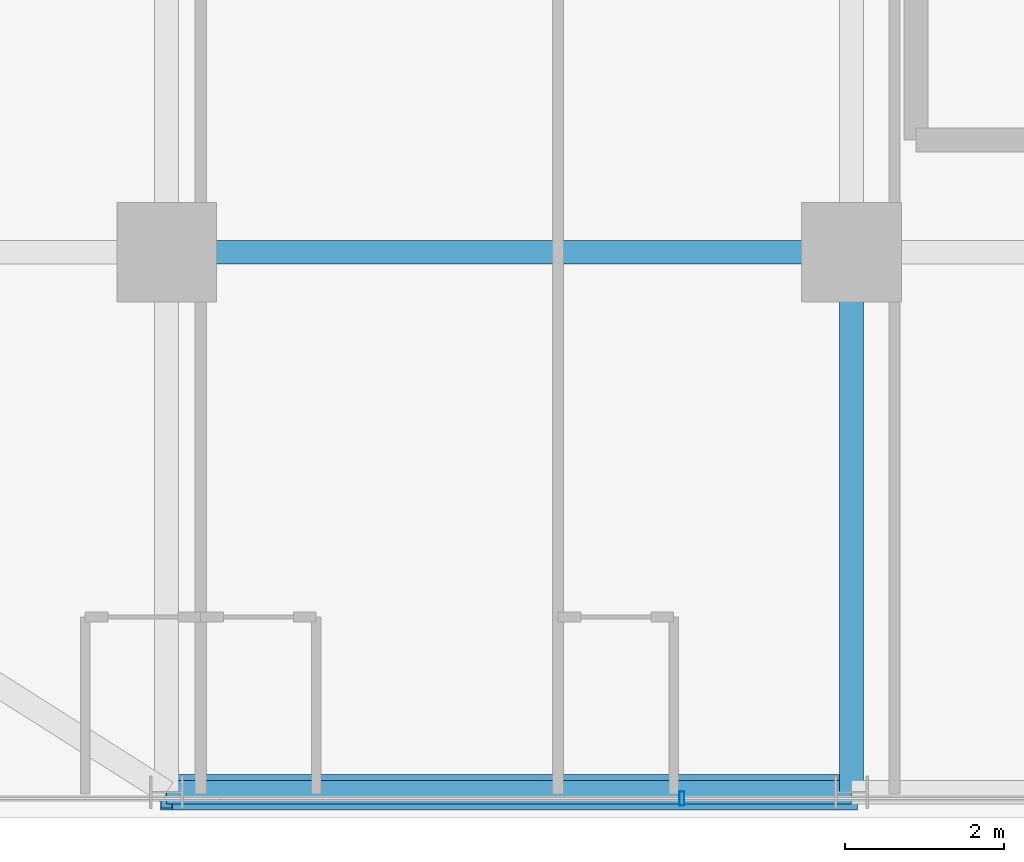
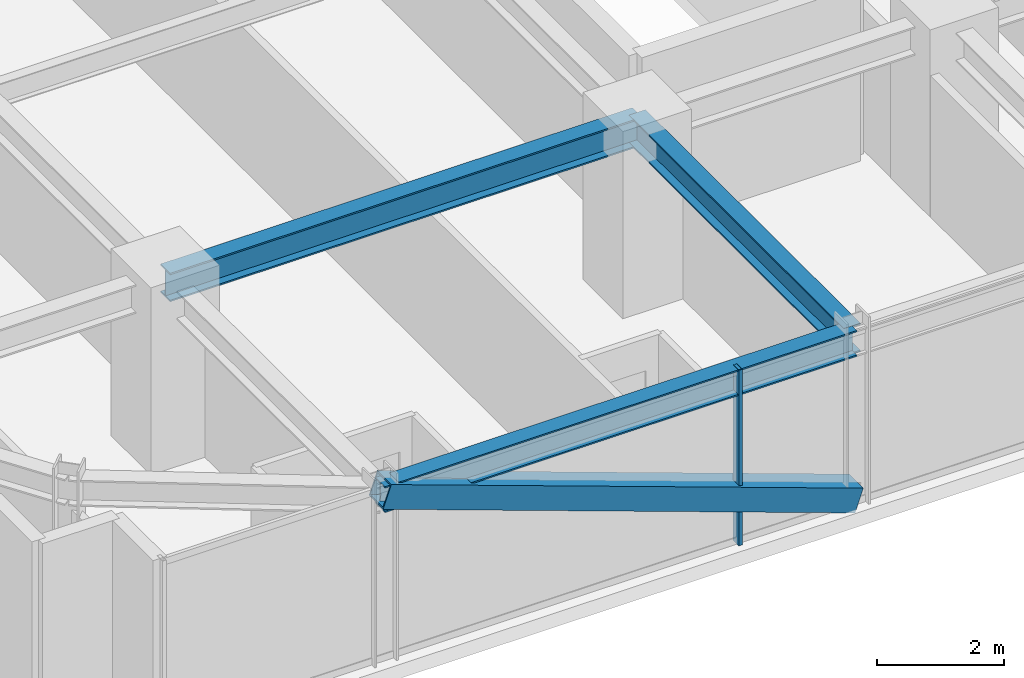
# One storey, part 3 of 34: 3 beams, 2 members, 1 element without a shape of its own.
"""IFC4 building model written with IfcOpenShell, lengths in metres."""

from ifc_helpers import new_model, si_unit, direction, frame, origin, origin_2d, place, context, subcontext, project, spatial, hollow_rectangle, i_section, extrude, source, transform, mapped, material, material_profile, profile_set, type_object, element, aggregate, save


model = new_model("IFC4")

# Units and contexts
model_context = context("Model", 3, precision=1e-05, world=origin(), true_north=direction((0.0, 1.0)))
body_context = subcontext(model_context, "Body", "Model", "MODEL_VIEW")
ifc_project = project(units=[si_unit("LENGTHUNIT", "METRE"), si_unit("AREAUNIT", "SQUARE_METRE"), si_unit("VOLUMEUNIT", "CUBIC_METRE"), si_unit("PLANEANGLEUNIT", "RADIAN"), si_unit("MASSUNIT", "GRAM", prefix="KILO")], contexts=[model_context])

# Site, building, storey
site_placement = place(None, origin())
site = spatial("IfcSite", under=ifc_project, at=site_placement, CompositionType="ELEMENT")
building_placement = place(site_placement, origin())
building = spatial("IfcBuilding", under=site, at=building_placement, Name="Nahalor Promenade Grand Hotel", CompositionType="ELEMENT")
storey_placement = place(building_placement, frame((0.0, 0.0, 99.25)))
storey = spatial("IfcBuildingStorey", under=building, at=storey_placement, Name="L24", CompositionType="ELEMENT", Elevation=99.25)

# Beams
ifc_material_1 = material(Name="Steel S355JR", Category="steel")
ifc_material_profile_1 = material_profile(ifc_material_1, i_section(OverallWidth=0.3, OverallDepth=0.5, WebThickness=0.0145, FlangeThickness=0.028, at=origin_2d()), Name="HEB 500")
ifc_profile_set_1 = profile_set([ifc_material_profile_1], Name="Steel S355JR")
beam_type_1 = type_object("IfcBeamType", Name="Beam-Spandrel-HEB500", PredefinedType="SPANDREL", material=ifc_profile_set_1)
shared_shape_1 = source(origin(), body_context, "Body", "SweptSolid", [
    extrude(i_section(OverallWidth=0.3, OverallDepth=0.5, WebThickness=0.0145, FlangeThickness=0.028, at=origin_2d()), origin(), (0.0, 0.0, 1.0), 8.60009765625),
])
beam_1_placement = place(storey_placement, frame((-17.0, -23.780029296875, 3.1298828125), z_axis=(1.0, 0.0, 0.0), x_axis=(0.0, 1.0, 0.0)))
element("IfcBeam", 1, at=beam_1_placement, inside=storey, type_object=beam_type_1, Name="BM-L24-SP-S-0", PredefinedType="SPANDREL", context=body_context, shape_type="MappedRepresentation", body=[
    mapped(shared_shape_1, transform((0.0, 0.0, 0.0), scale=1.0)),
])
ifc_material_profile_2 = material_profile(ifc_material_1, i_section(OverallWidth=0.3, OverallDepth=0.55, WebThickness=0.015, FlangeThickness=0.029, at=origin_2d()), Name="HEB 550")
ifc_profile_set_2 = profile_set([ifc_material_profile_2], Name="Steel S355JR")
beam_type_2 = type_object("IfcBeamType", Name="Beam-Girder-HEB550", PredefinedType="BEAM", material=ifc_profile_set_2)
shared_shape_2 = source(origin(), body_context, "Body", "SweptSolid", [
    extrude(i_section(OverallWidth=0.3, OverallDepth=0.55, WebThickness=0.015, FlangeThickness=0.029, at=origin_2d()), origin(), (0.0, 0.0, 1.0), 6.780029296875),
])
beam_2_placement = place(storey_placement, frame((-8.39990234375, -23.780029296875, 3.10498046875), z_axis=(0.0, 1.0, 0.0), x_axis=(-1.0, 0.0, 0.0)))
element("IfcBeam", 2, at=beam_2_placement, inside=storey, type_object=beam_type_2, Name="BM-L24-GY-1-0", PredefinedType="BEAM", context=body_context, shape_type="MappedRepresentation", body=[
    mapped(shared_shape_2, transform((0.0, 0.0, 0.0), scale=1.0)),
])
shared_shape_3 = source(origin(), body_context, "Body", "SweptSolid", [
    extrude(i_section(OverallWidth=0.3, OverallDepth=0.55, WebThickness=0.015, FlangeThickness=0.029, at=origin_2d()), origin(), (0.0, 0.0, 1.0), 8.60009765625),
])
beam_3_placement = place(storey_placement, frame((-17.0, -17.0, 3.10498046875), z_axis=(1.0, 0.0, 0.0), x_axis=(0.0, 1.0, 0.0)))
element("IfcBeam", 3, at=beam_3_placement, inside=storey, type_object=beam_type_2, Name="BM-L24-GX-0-1", PredefinedType="BEAM", context=body_context, shape_type="MappedRepresentation", body=[
    mapped(shared_shape_3, transform((0.0, 0.0, 0.0), scale=1.0)),
])

# Member
ifc_material_2 = material(Name="Steel S355J2", Category="steel")
ifc_material_profile_3 = material_profile(ifc_material_2, hollow_rectangle(XDim=0.45, YDim=0.45, WallThickness=0.025, at=origin_2d()), Name="SHS 450x450x25")
ifc_profile_set_3 = profile_set([ifc_material_profile_3], Name="Steel S355J2")
member_type_1 = type_object("IfcMemberType", Name="Mem-ExoBrace-SHS450", PredefinedType="BRACE", material=ifc_profile_set_3)
shared_shape_4 = source(origin(), body_context, "Body", "SweptSolid", [
    extrude(hollow_rectangle(XDim=0.45, YDim=0.45, WallThickness=0.025, at=origin_2d()), origin(), (0.0, 0.0, 1.0), 9.135009765625),
])
member_1_placement = place(storey_placement, frame((-8.39990234375, -23.780029296875, 0.14990234375), z_axis=(-0.941442840152, 0.0, 0.337172624521), x_axis=(0.0, -1.0, 0.0)))
element("IfcMember", 4, at=member_1_placement, inside=storey, type_object=member_type_1, Name="EXO-L24-S-0", PredefinedType="BRACE", context=body_context, shape_type="MappedRepresentation", body=[
    mapped(shared_shape_4, transform((0.0, 0.0, 0.0), scale=1.0)),
])

# Curtain wall, member
ifc_material_3 = material(Name="Anodised Bronze Aluminium EN AW-6063 T6", Category="aluminium")
curtain_wall_type = type_object("IfcCurtainWallType", Name="CW2 Typical Hotel Flush Bronze Unitised Curtain Wall", PredefinedType="USERDEFINED", material=ifc_material_3)
curtain_wall_placement = place(storey_placement, origin())
curtain_wall = element("IfcCurtainWall", 5, at=curtain_wall_placement, inside=storey, type_object=curtain_wall_type, Name="L24 Curtain Wall CW-L24-S-1", ObjectType="UNITISED_CURTAIN_WALL", PredefinedType="USERDEFINED")
ifc_material_profile_4 = material_profile(ifc_material_3, hollow_rectangle(XDim=0.065, YDim=0.18, WallThickness=0.004, at=origin_2d()), Name="CWM 65x180x4")
ifc_profile_set_4 = profile_set([ifc_material_profile_4], Name="Anodised Bronze Aluminium EN AW-6063 T6")
member_type_2 = type_object("IfcMemberType", Name="CWM2 Typical Bronze Mullion 65x180", PredefinedType="MULLION", material=ifc_profile_set_4)
shared_shape_5 = source(origin(), body_context, "Body", "SweptSolid", [
    extrude(hollow_rectangle(XDim=0.065, YDim=0.18, WallThickness=0.004, at=origin_2d()), origin(), (0.0, 0.0, 1.0), 3.3798828125),
])
member_2_placement = place(storey_placement, frame((-10.530029296875, -23.860107421875, 0.0), z_axis=(0.0, 0.0, 1.0), x_axis=(1.0, 0.0, 0.0)))
member_2 = element("IfcMember", 6, at=member_2_placement, type_object=member_type_2, Name="CW-L24-S-1 Mullion 1", PredefinedType="MULLION", context=body_context, shape_type="MappedRepresentation", body=[
    mapped(shared_shape_5, transform((0.0, 0.0, 0.0), scale=1.0)),
])
aggregate(curtain_wall, [member_2])

save(model, "model.ifc")
